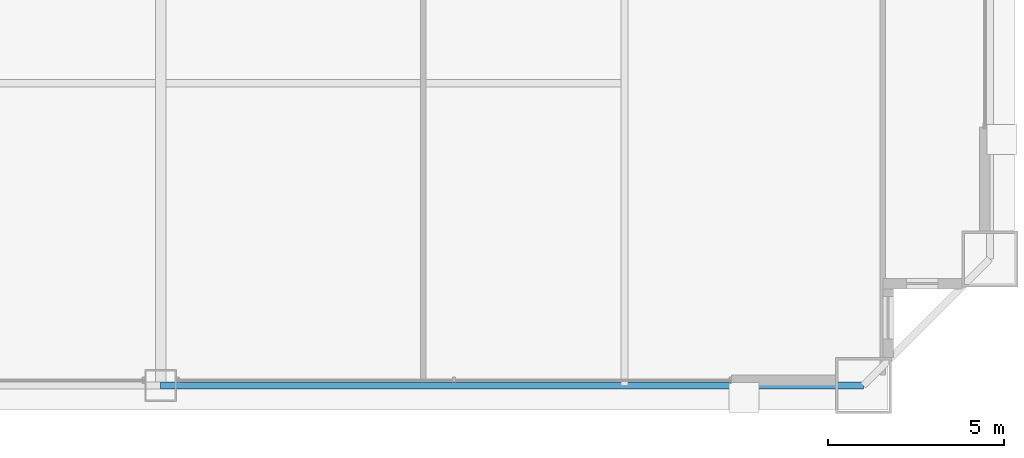
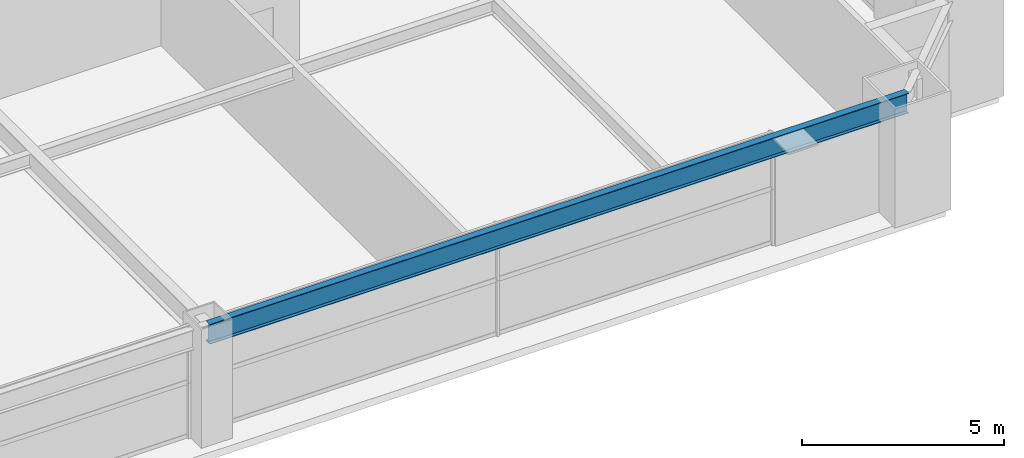
# One storey, part 14 of 37: 1 beam.
"""IFC4 building model written with IfcOpenShell, lengths in metres."""

from ifc_helpers import new_model, si_unit, direction, frame, origin, origin_2d, place, context, subcontext, project, spatial, i_section, extrude, source, transform, mapped, material, material_profile, profile_set, type_object, element, save


model = new_model("IFC4")

# Units and contexts
model_context = context("Model", 3, precision=1e-05, world=origin(), true_north=direction((0.0, 1.0)))
body_context = subcontext(model_context, "Body", "Model", "MODEL_VIEW")
ifc_project = project(units=[si_unit("LENGTHUNIT", "METRE"), si_unit("AREAUNIT", "SQUARE_METRE"), si_unit("VOLUMEUNIT", "CUBIC_METRE"), si_unit("PLANEANGLEUNIT", "RADIAN"), si_unit("MASSUNIT", "GRAM", prefix="KILO"), si_unit("THERMODYNAMICTEMPERATUREUNIT", "KELVIN"), si_unit("POWERUNIT", "WATT")], contexts=[model_context])

# Site, building, storey
site_placement = place(None, origin())
site = spatial("IfcSite", under=ifc_project, at=site_placement, CompositionType="ELEMENT")
building_placement = place(site_placement, origin())
building = spatial("IfcBuilding", under=site, at=building_placement, Name="Yuzanri Waterfront Tower", CompositionType="ELEMENT")
storey_placement = place(building_placement, frame((0.0, 0.0, 104.60009765625)))
storey = spatial("IfcBuildingStorey", under=building, at=storey_placement, Name="L27", CompositionType="ELEMENT", Elevation=104.60009765625)

# Beam
ifc_material = material(Name="Steel Q355B", Category="steel")
ifc_material_profile = material_profile(ifc_material, i_section(OverallWidth=0.199951171875, OverallDepth=0.60009765625, WebThickness=0.010986328125, FlangeThickness=0.01708984375, at=origin_2d()), Name="HN 600x200x11x17")
ifc_profile_set = profile_set([ifc_material_profile], Name="Steel Q355B")
beam_type = type_object("IfcBeamType", Name="Perimeter Spandrel Q355B HN 600x200", PredefinedType="SPANDREL", material=ifc_profile_set)
shared_shape = source(origin(), body_context, "Body", "SweptSolid", [
    extrude(i_section(OverallWidth=0.199951171875, OverallDepth=0.60009765625, WebThickness=0.010986328125, FlangeThickness=0.01708984375, at=origin_2d()), origin(), (0.0, 0.0, 1.0), 20.0),
])
beam_placement = place(storey_placement, frame((37.0, 2.199951171875, 3.079833984375), z_axis=(1.0, 0.0, 0.0), x_axis=(0.0, 1.0, 0.0)))
element("IfcBeam", 1, at=beam_placement, inside=storey, type_object=beam_type, Name="L27 Perimeter Spandrel S2-S3", PredefinedType="SPANDREL", context=body_context, shape_type="MappedRepresentation", body=[
    mapped(shared_shape, transform((0.0, 0.0, 0.0), scale=1.0)),
])

save(model, "model.ifc")
